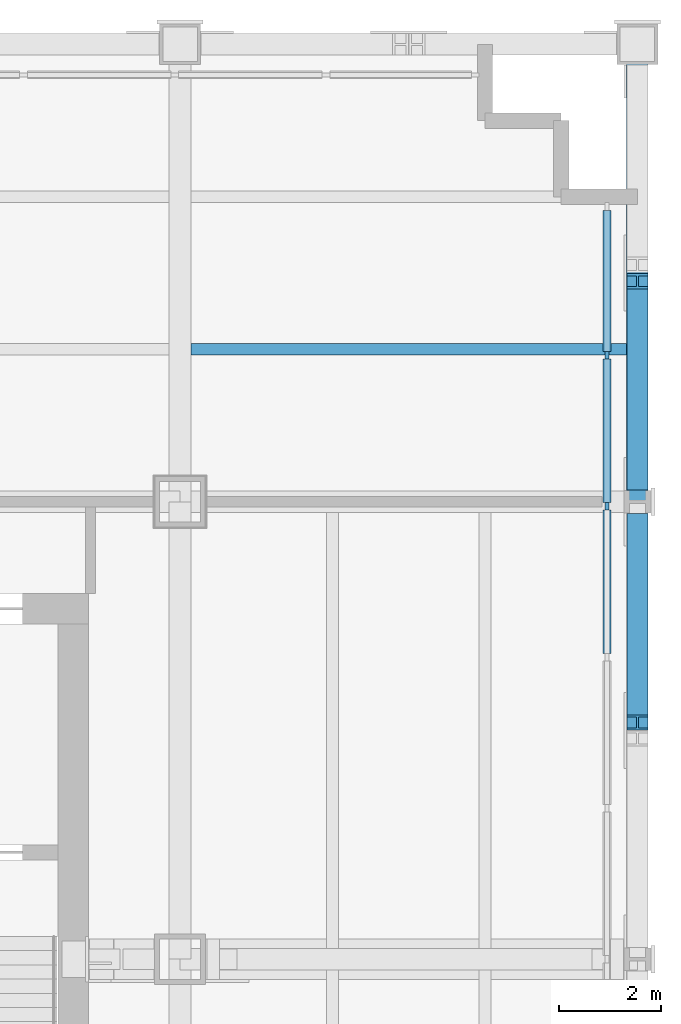
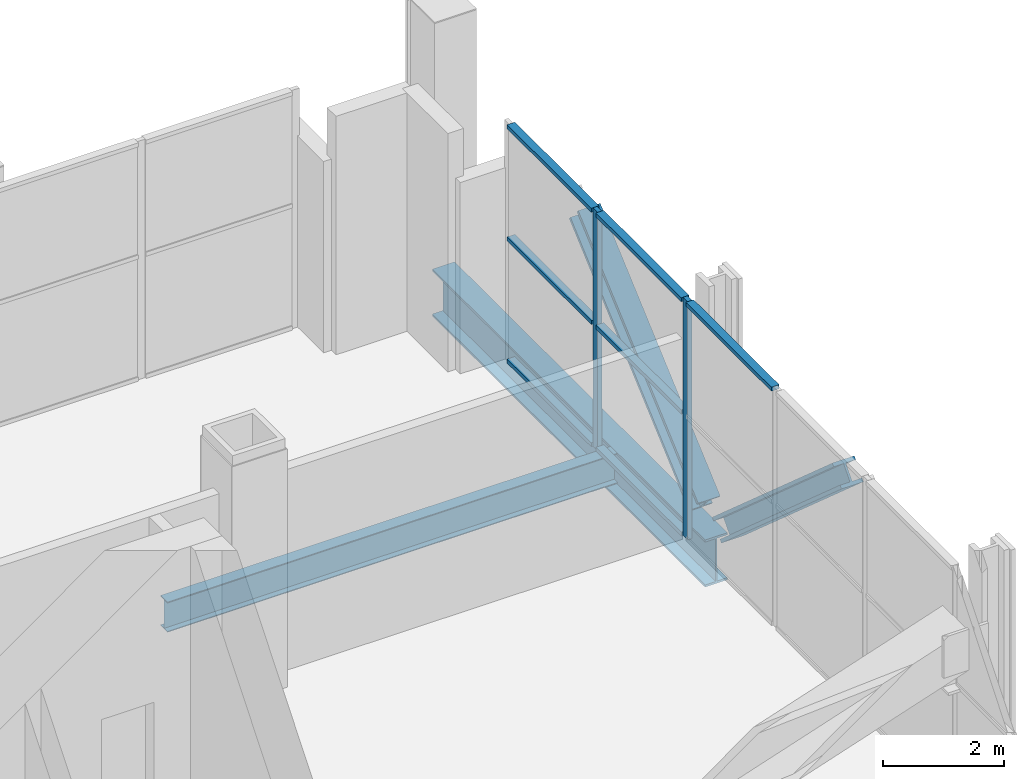
# One storey, part 6 of 16: 11 members, 2 beams, 1 element without a shape of its own.
"""IFC4 building model written with IfcOpenShell, lengths in metres."""

from ifc_helpers import new_model, si_unit, direction, frame, origin, origin_2d, place, context, subcontext, project, spatial, rectangle, i_section, extrude, material, material_profile, profile_set, type_object, element, aggregate, save


model = new_model("IFC4")

# Units and contexts
model_context = context("Model", 3, precision=1e-05, world=origin(), true_north=direction((0.0, 1.0)))
body_context = subcontext(model_context, "Body", "Model", "MODEL_VIEW")
ifc_project = project(units=[si_unit("LENGTHUNIT", "METRE"), si_unit("AREAUNIT", "SQUARE_METRE"), si_unit("VOLUMEUNIT", "CUBIC_METRE"), si_unit("PLANEANGLEUNIT", "RADIAN"), si_unit("MASSUNIT", "GRAM", prefix="KILO")], contexts=[model_context])

# Site, building, storey
site_placement = place(None, origin())
site = spatial("IfcSite", under=ifc_project, at=site_placement, CompositionType="ELEMENT")
building_placement = place(site_placement, origin())
building = spatial("IfcBuilding", under=site, at=building_placement, Name="Loomwork Tower", CompositionType="ELEMENT")
storey_placement = place(building_placement, frame((0.0, 0.0, 155.39990234375)))
storey = spatial("IfcBuildingStorey", under=building, at=storey_placement, Name="L42", CompositionType="ELEMENT", Elevation=155.39990234375)

# Beam
ifc_material_1 = material(Name="Steel ASTM A992", Category="steel")
ifc_material_profile_1 = material_profile(ifc_material_1, i_section(OverallWidth=0.424072265625, OverallDepth=0.947509765625, WebThickness=0.02392578125, FlangeThickness=0.042724609375, at=origin_2d()), Name="W36x302")
ifc_profile_set_1 = profile_set([ifc_material_profile_1], Name="Steel ASTM A992")
beam_type_1 = type_object("IfcBeamType", Name="BELT CHORD SPANDREL W36x302", PredefinedType="SPANDREL", material=ifc_profile_set_1)
beam_1_placement = place(storey_placement, frame((45.0, 27.0, -0.7236328125), z_axis=(0.0, 1.0, 0.0), x_axis=(-1.0, 0.0, 0.0)))
element("IfcBeam", 1, at=beam_1_placement, inside=storey, type_object=beam_type_1, Name="Belt Chord Spandrel G/7-H/7 L42", PredefinedType="SPANDREL", context=body_context, shape_type="SweptSolid", body=[
    extrude(i_section(OverallWidth=0.424072265625, OverallDepth=0.947509765625, WebThickness=0.02392578125, FlangeThickness=0.042724609375, at=origin_2d()), origin(), (0.0, 0.0, 1.0), 9.0),
])

# Members
ifc_material_2 = material(Name="Steel ASTM A992", Category="steel")
ifc_material_profile_2 = material_profile(ifc_material_2, i_section(OverallWidth=0.419189453125, OverallDepth=0.45458984375, WebThickness=0.042236328125, FlangeThickness=0.067626953125, at=origin_2d()), Name="W14x370")
ifc_profile_set_2 = profile_set([ifc_material_profile_2], Name="Steel ASTM A992")
member_type_1 = type_object("IfcMemberType", Name="BELT TRUSS DIAGONAL W14x370", PredefinedType="BRACE", material=ifc_profile_set_2)
for number, where, z_axis, x_axis, name in (
    (2, (45.0, 26.61865234375, 0.1806640625), (0.0, -0.750125217925, 0.661295816887), (1.0, 0.0, 0.0), "Belt truss diagonal F/7-G/7 L42"),
    (3, (45.0, 27.38134765625, 0.1806640625), (0.0, 0.750125217925, 0.661295816887), (-1.0, 0.0, 0.0), "Belt truss diagonal G/7-H/7 L42"),
):
    element("IfcMember", number, at=place(storey_placement, frame(where, z_axis=z_axis, x_axis=x_axis)), inside=storey, type_object=member_type_1, Name=name, PredefinedType="BRACE", context=body_context, shape_type="SweptSolid", body=[
        extrude(i_section(OverallWidth=0.419189453125, OverallDepth=0.45458984375, WebThickness=0.042236328125, FlangeThickness=0.067626953125, at=origin_2d()), origin(), (0.0, 0.0, 1.0), 5.27978515625),
    ])

# Beam
ifc_material_3 = material(Name="Steel ASTM A992", Category="steel")
ifc_material_profile_3 = material_profile(ifc_material_3, i_section(OverallWidth=0.228271484375, OverallDepth=0.607177734375, WebThickness=0.01123046875, FlangeThickness=0.017333984375, at=origin_2d()), Name="W24x76")
ifc_profile_set_3 = profile_set([ifc_material_profile_3], Name="Steel ASTM A992")
beam_type_2 = type_object("IfcBeamType", Name="PLANT FLOOR JOIST W24x76", PredefinedType="JOIST", material=ifc_profile_set_3)
beam_2_placement = place(storey_placement, frame((36.212890625, 30.0, -0.553466796875), z_axis=(1.0, 0.0, 0.0), x_axis=(0.0, 1.0, 0.0)))
element("IfcBeam", 4, at=beam_2_placement, inside=storey, type_object=beam_type_2, Name="Plant Floor Joist 36.000,30.000-45.000,30.000 L42", PredefinedType="JOIST", context=body_context, shape_type="SweptSolid", body=[
    extrude(i_section(OverallWidth=0.228271484375, OverallDepth=0.607177734375, WebThickness=0.01123046875, FlangeThickness=0.017333984375, at=origin_2d()), origin(), (0.0, 0.0, 1.0), 8.5751953125),
])

# Curtain wall, members
ifc_material_4 = material(Name="Aluminium louvre frame", Category="aluminium")
curtain_wall_type = type_object("IfcCurtainWallType", Name="Plant floor louvre screen", PredefinedType="NOTDEFINED", material=ifc_material_4)
curtain_wall_placement = place(storey_placement, origin())
curtain_wall = element("IfcCurtainWall", 5, at=curtain_wall_placement, inside=storey, type_object=curtain_wall_type, Name="Plant floor louvre screen cw/E", PredefinedType="NOTDEFINED")
ifc_material_5 = material(Name="Aluminium louvre frame", Category="aluminium")
ifc_material_profile_4 = material_profile(ifc_material_5, rectangle(XDim=0.080078125, YDim=0.14990234375, at=origin_2d()), Name="AL 80x150")
ifc_profile_set_4 = profile_set([ifc_material_profile_4], Name="Aluminium louvre frame")
member_type_2 = type_object("IfcMemberType", Name="Plant floor louvre screen mullion", PredefinedType="MULLION", material=ifc_profile_set_4)
member_1_placement = place(storey_placement, frame((44.39990234375, 26.909912109375, 0.0), z_axis=(0.0, 0.0, 1.0), x_axis=(-1.0, 0.0, 0.0)))
member_1 = element("IfcMember", 6, at=member_1_placement, type_object=member_type_2, Name="CW4 mullion 9", PredefinedType="MULLION", context=body_context, shape_type="SweptSolid", body=[
    extrude(rectangle(XDim=0.080078125, YDim=0.14990234375, at=origin_2d()), origin(), (0.0, 0.0, 1.0), 4.800048828125),
])
member_2_placement = place(storey_placement, frame((44.39990234375, 29.8798828125, 0.0), z_axis=(0.0, 0.0, 1.0), x_axis=(-1.0, 0.0, 0.0)))
member_2 = element("IfcMember", 7, at=member_2_placement, type_object=member_type_2, Name="CW4 mullion 10", PredefinedType="MULLION", context=body_context, shape_type="SweptSolid", body=[
    extrude(rectangle(XDim=0.080078125, YDim=0.14990234375, at=origin_2d()), origin(), (0.0, 0.0, 1.0), 4.800048828125),
])
ifc_material_6 = material(Name="Aluminium louvre frame", Category="aluminium")
ifc_material_profile_5 = material_profile(ifc_material_6, rectangle(XDim=0.14990234375, YDim=0.080078125, at=origin_2d()), Name="AL 80x150")
ifc_profile_set_5 = profile_set([ifc_material_profile_5], Name="Aluminium louvre frame")
member_type_3 = type_object("IfcMemberType", Name="Plant floor louvre screen transom", PredefinedType="USERDEFINED", material=ifc_profile_set_5)
member_3_placement = place(storey_placement, frame((44.39990234375, 24.014892578125, 4.760009765625), z_axis=(0.0, 1.0, 0.0), x_axis=(-1.0, 0.0, 0.0)))
member_3 = element("IfcMember", 8, at=member_3_placement, type_object=member_type_3, Name="CW4 transom 8.3", ObjectType="TRANSOM", PredefinedType="USERDEFINED", context=body_context, shape_type="SweptSolid", body=[
    extrude(rectangle(XDim=0.14990234375, YDim=0.080078125, at=origin_2d()), origin(), (0.0, 0.0, 1.0), 2.820068359375),
])
member_4_placement = place(storey_placement, frame((44.39990234375, 26.985107421875, 0.0400390625), z_axis=(0.0, 1.0, 0.0), x_axis=(-1.0, 0.0, 0.0)))
member_4 = element("IfcMember", 9, at=member_4_placement, type_object=member_type_3, Name="CW4 transom 9.1", ObjectType="TRANSOM", PredefinedType="USERDEFINED", context=body_context, shape_type="SweptSolid", body=[
    extrude(rectangle(XDim=0.14990234375, YDim=0.080078125, at=origin_2d()), origin(), (0.0, 0.0, 1.0), 2.81982421875),
])
member_5_placement = place(storey_placement, frame((44.39990234375, 26.985107421875, 2.5), z_axis=(0.0, 1.0, 0.0), x_axis=(-1.0, 0.0, 0.0)))
member_5 = element("IfcMember", 10, at=member_5_placement, type_object=member_type_3, Name="CW4 transom 9.2", ObjectType="TRANSOM", PredefinedType="USERDEFINED", context=body_context, shape_type="SweptSolid", body=[
    extrude(rectangle(XDim=0.14990234375, YDim=0.080078125, at=origin_2d()), origin(), (0.0, 0.0, 1.0), 2.81982421875),
])
member_6_placement = place(storey_placement, frame((44.39990234375, 26.985107421875, 4.760009765625), z_axis=(0.0, 1.0, 0.0), x_axis=(-1.0, 0.0, 0.0)))
member_6 = element("IfcMember", 11, at=member_6_placement, type_object=member_type_3, Name="CW4 transom 9.3", ObjectType="TRANSOM", PredefinedType="USERDEFINED", context=body_context, shape_type="SweptSolid", body=[
    extrude(rectangle(XDim=0.14990234375, YDim=0.080078125, at=origin_2d()), origin(), (0.0, 0.0, 1.0), 2.81982421875),
])
member_7_placement = place(storey_placement, frame((44.39990234375, 29.955078125, 0.0400390625), z_axis=(0.0, 1.0, 0.0), x_axis=(-1.0, 0.0, 0.0)))
member_7 = element("IfcMember", 12, at=member_7_placement, type_object=member_type_3, Name="CW4 transom 10.1", ObjectType="TRANSOM", PredefinedType="USERDEFINED", context=body_context, shape_type="SweptSolid", body=[
    extrude(rectangle(XDim=0.14990234375, YDim=0.080078125, at=origin_2d()), origin(), (0.0, 0.0, 1.0), 2.780029296875),
])
member_8_placement = place(storey_placement, frame((44.39990234375, 29.955078125, 2.5), z_axis=(0.0, 1.0, 0.0), x_axis=(-1.0, 0.0, 0.0)))
member_8 = element("IfcMember", 13, at=member_8_placement, type_object=member_type_3, Name="CW4 transom 10.2", ObjectType="TRANSOM", PredefinedType="USERDEFINED", context=body_context, shape_type="SweptSolid", body=[
    extrude(rectangle(XDim=0.14990234375, YDim=0.080078125, at=origin_2d()), origin(), (0.0, 0.0, 1.0), 2.780029296875),
])
member_9_placement = place(storey_placement, frame((44.39990234375, 29.955078125, 4.760009765625), z_axis=(0.0, 1.0, 0.0), x_axis=(-1.0, 0.0, 0.0)))
member_9 = element("IfcMember", 14, at=member_9_placement, type_object=member_type_3, Name="CW4 transom 10.3", ObjectType="TRANSOM", PredefinedType="USERDEFINED", context=body_context, shape_type="SweptSolid", body=[
    extrude(rectangle(XDim=0.14990234375, YDim=0.080078125, at=origin_2d()), origin(), (0.0, 0.0, 1.0), 2.780029296875),
])
aggregate(curtain_wall, [member_1, member_2, member_3, member_4, member_5, member_6, member_7, member_8, member_9])

save(model, "model.ifc")
